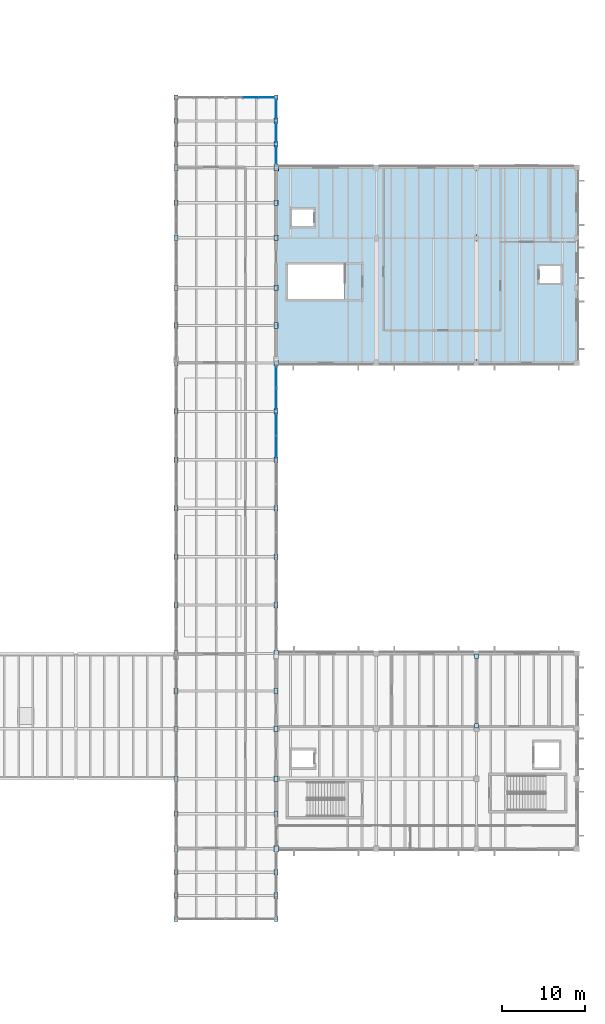
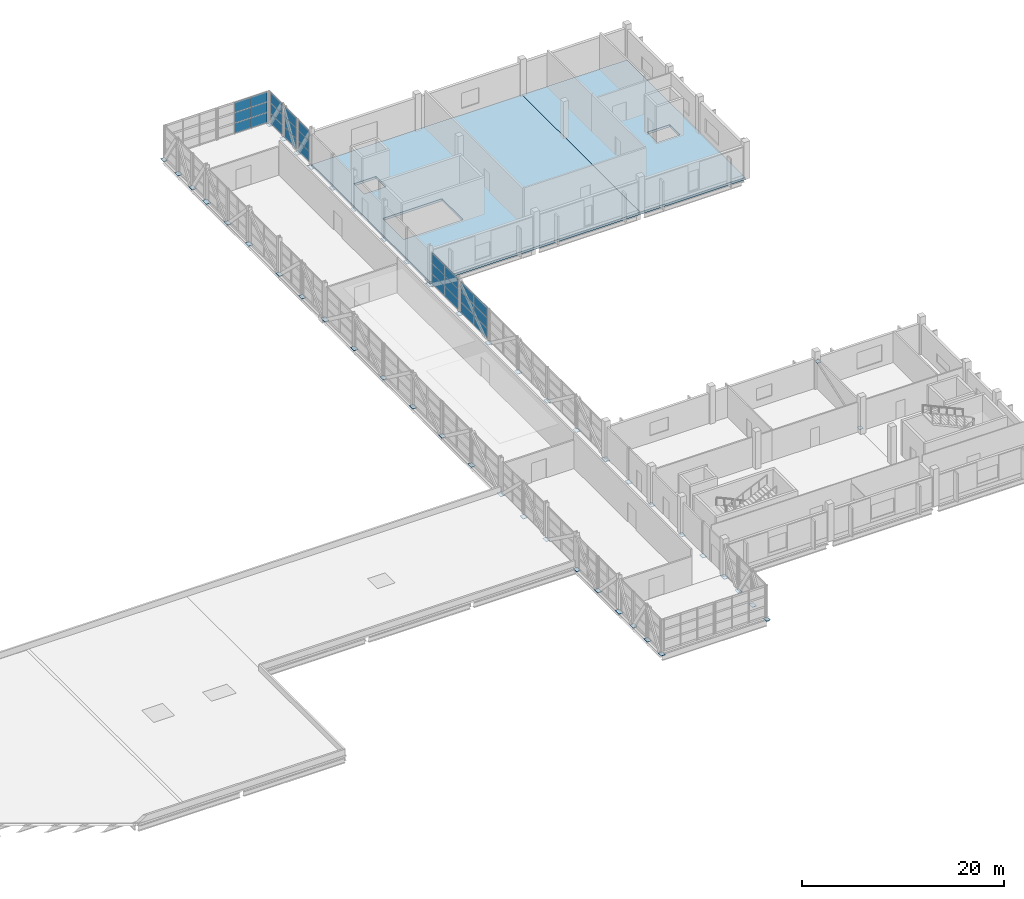
# One storey, part 44 of 63: 75 plates, 2 slabs, 6 elements without a shape of their own.
"""IFC4 building model written with IfcOpenShell, lengths in metres."""

from ifc_helpers import new_model, si_unit, direction, frame, origin, origin_2d, place, context, subcontext, project, spatial, polyline, rectangle, outline, extrude, material, layer, layer_set, type_object, element, aggregate, save


model = new_model("IFC4")

# Units and contexts
model_context = context("Model", 3, precision=1e-05, world=origin(), true_north=direction((0.0, 1.0)))
body_context = subcontext(model_context, "Body", "Model", "MODEL_VIEW")
ifc_project = project(units=[si_unit("LENGTHUNIT", "METRE"), si_unit("AREAUNIT", "SQUARE_METRE"), si_unit("VOLUMEUNIT", "CUBIC_METRE"), si_unit("PLANEANGLEUNIT", "RADIAN"), si_unit("MASSUNIT", "GRAM", prefix="KILO")], contexts=[model_context])

# Site, building, storey
site_placement = place(None, origin())
site = spatial("IfcSite", under=ifc_project, at=site_placement, CompositionType="ELEMENT")
building_placement = place(site_placement, origin())
building = spatial("IfcBuilding", under=site, at=building_placement, Name="Kelmvaro Bay Concert Hall", CompositionType="ELEMENT")
storey_placement = place(building_placement, frame((0.0, 0.0, 13.800048828125)))
storey = spatial("IfcBuildingStorey", under=building, at=storey_placement, Name="L03", CompositionType="ELEMENT", Elevation=13.800048828125)

# Plates
ifc_material_1 = material(Name="Steel ASTM A572 Grade 50", Category="steel")
ifc_layer_1 = layer(ifc_material_1, 0.028076171875)
ifc_layer_set_1 = layer_set([ifc_layer_1], Name="Steel ASTM A572 Grade 50")
plate_type_1 = type_object("IfcPlateType", Name="Bridge Cantilever Tip Cap Plate 620x460x28", PredefinedType="SHEET", material=ifc_layer_set_1)
for number, where, z_axis, x_axis, name in (
    (1, (120.0, 7.199951171875, -0.34423828125), (0.0, 0.0, 1.0), (0.0, 1.0, 0.0), "Bridge Node Gusset Plate ND-03 W-B01"),
    (2, (120.0, 105.60009765625, -0.34423828125), (0.0, 0.0, 1.0), (0.0, 1.0, 0.0), "Bridge Node Gusset Plate ND-03 W-B23"),
    (3, (132.0, 7.199951171875, -0.34423828125), (0.0, 0.0, 1.0), (0.0, 1.0, 0.0), "Bridge Node Gusset Plate ND-03 E-B01"),
    (4, (132.0, 105.60009765625, -0.34423828125), (0.0, 0.0, 1.0), (0.0, 1.0, 0.0), "Bridge Node Gusset Plate ND-03 E-B23"),
):
    element("IfcPlate", number, at=place(storey_placement, frame(where, z_axis=z_axis, x_axis=x_axis)), inside=storey, type_object=plate_type_1, Name=name, PredefinedType="SHEET", context=body_context, shape_type="SweptSolid", body=[
        extrude(rectangle(XDim=0.6201171875, YDim=0.4599609375, at=origin_2d()), origin(), (0.0, 0.0, 1.0), 0.028076171875),
    ])
ifc_material_2 = material(Name="Steel ASTM A572 Grade 50", Category="steel")
ifc_layer_2 = layer(ifc_material_2, 0.033935546875)
ifc_layer_set_2 = layer_set([ifc_layer_2], Name="Steel ASTM A572 Grade 50")
plate_type_2 = type_object("IfcPlateType", Name="Bridge Chord Gusset Plate 680x480x34", PredefinedType="SHEET", material=ifc_layer_set_2)
for number, where, z_axis, x_axis, name in (
    (5, (120.0, 10.0, -0.34716796875), (0.0, 0.0, 1.0), (0.0, 1.0, 0.0), "Bridge Node Gusset Plate ND-02 W-B02"),
    (6, (120.0, 12.800048828125, -0.34716796875), (0.0, 0.0, 1.0), (0.0, 1.0, 0.0), "Bridge Node Gusset Plate ND-02 W-B03"),
    (7, (120.0, 19.800048828125, -0.34716796875), (0.0, 0.0, 1.0), (0.0, 1.0, 0.0), "Bridge Node Gusset Plate ND-02 W-B05"),
    (8, (120.0, 24.0, -0.34716796875), (0.0, 0.0, 1.0), (0.0, 1.0, 0.0), "Bridge Node Gusset Plate ND-02 W-B06"),
    (9, (120.0, 30.0, -0.34716796875), (0.0, 0.0, 1.0), (0.0, 1.0, 0.0), "Bridge Node Gusset Plate ND-02 W-B07"),
    (10, (120.0, 34.5, -0.34716796875), (0.0, 0.0, 1.0), (0.0, 1.0, 0.0), "Bridge Node Gusset Plate ND-02 W-B08"),
    (11, (120.0, 44.800048828125, -0.34716796875), (0.0, 0.0, 1.0), (0.0, 1.0, 0.0), "Bridge Node Gusset Plate ND-02 W-B10"),
    (12, (120.0, 50.60009765625, -0.34716796875), (0.0, 0.0, 1.0), (0.0, 1.0, 0.0), "Bridge Node Gusset Plate ND-02 W-B11"),
    (13, (120.0, 56.39990234375, -0.34716796875), (0.0, 0.0, 1.0), (0.0, 1.0, 0.0), "Bridge Node Gusset Plate ND-02 W-B12"),
    (14, (120.0, 62.199951171875, -0.34716796875), (0.0, 0.0, 1.0), (0.0, 1.0, 0.0), "Bridge Node Gusset Plate ND-02 W-B13"),
    (15, (120.0, 68.0, -0.34716796875), (0.0, 0.0, 1.0), (0.0, 1.0, 0.0), "Bridge Node Gusset Plate ND-02 W-B14"),
    (16, (120.0, 78.300048828125, -0.34716796875), (0.0, 0.0, 1.0), (0.0, 1.0, 0.0), "Bridge Node Gusset Plate ND-02 W-B16"),
    (17, (120.0, 82.800048828125, -0.34716796875), (0.0, 0.0, 1.0), (0.0, 1.0, 0.0), "Bridge Node Gusset Plate ND-02 W-B17"),
    (18, (120.0, 88.800048828125, -0.34716796875), (0.0, 0.0, 1.0), (0.0, 1.0, 0.0), "Bridge Node Gusset Plate ND-02 W-B18"),
    (19, (120.0, 93.0, -0.34716796875), (0.0, 0.0, 1.0), (0.0, 1.0, 0.0), "Bridge Node Gusset Plate ND-02 W-B19"),
    (20, (120.0, 100.0, -0.34716796875), (0.0, 0.0, 1.0), (0.0, 1.0, 0.0), "Bridge Node Gusset Plate ND-02 W-B21"),
    (21, (120.0, 102.800048828125, -0.34716796875), (0.0, 0.0, 1.0), (0.0, 1.0, 0.0), "Bridge Node Gusset Plate ND-02 W-B22"),
    (22, (132.0, 10.0, -0.34716796875), (0.0, 0.0, 1.0), (0.0, 1.0, 0.0), "Bridge Node Gusset Plate ND-02 E-B02"),
    (23, (132.0, 12.800048828125, -0.34716796875), (0.0, 0.0, 1.0), (0.0, 1.0, 0.0), "Bridge Node Gusset Plate ND-02 E-B03"),
    (24, (132.0, 19.800048828125, -0.34716796875), (0.0, 0.0, 1.0), (0.0, 1.0, 0.0), "Bridge Node Gusset Plate ND-02 E-B05"),
    (25, (132.0, 24.0, -0.34716796875), (0.0, 0.0, 1.0), (0.0, 1.0, 0.0), "Bridge Node Gusset Plate ND-02 E-B06"),
    (26, (132.0, 30.0, -0.34716796875), (0.0, 0.0, 1.0), (0.0, 1.0, 0.0), "Bridge Node Gusset Plate ND-02 E-B07"),
    (27, (132.0, 34.5, -0.34716796875), (0.0, 0.0, 1.0), (0.0, 1.0, 0.0), "Bridge Node Gusset Plate ND-02 E-B08"),
    (28, (132.0, 44.800048828125, -0.34716796875), (0.0, 0.0, 1.0), (0.0, 1.0, 0.0), "Bridge Node Gusset Plate ND-02 E-B10"),
    (29, (132.0, 50.60009765625, -0.34716796875), (0.0, 0.0, 1.0), (0.0, 1.0, 0.0), "Bridge Node Gusset Plate ND-02 E-B11"),
    (30, (132.0, 56.39990234375, -0.34716796875), (0.0, 0.0, 1.0), (0.0, 1.0, 0.0), "Bridge Node Gusset Plate ND-02 E-B12"),
    (31, (132.0, 62.199951171875, -0.34716796875), (0.0, 0.0, 1.0), (0.0, 1.0, 0.0), "Bridge Node Gusset Plate ND-02 E-B13"),
    (32, (132.0, 68.0, -0.34716796875), (0.0, 0.0, 1.0), (0.0, 1.0, 0.0), "Bridge Node Gusset Plate ND-02 E-B14"),
    (33, (132.0, 78.300048828125, -0.34716796875), (0.0, 0.0, 1.0), (0.0, 1.0, 0.0), "Bridge Node Gusset Plate ND-02 E-B16"),
    (34, (132.0, 82.800048828125, -0.34716796875), (0.0, 0.0, 1.0), (0.0, 1.0, 0.0), "Bridge Node Gusset Plate ND-02 E-B17"),
    (35, (132.0, 88.800048828125, -0.34716796875), (0.0, 0.0, 1.0), (0.0, 1.0, 0.0), "Bridge Node Gusset Plate ND-02 E-B18"),
    (36, (132.0, 93.0, -0.34716796875), (0.0, 0.0, 1.0), (0.0, 1.0, 0.0), "Bridge Node Gusset Plate ND-02 E-B19"),
    (37, (132.0, 100.0, -0.34716796875), (0.0, 0.0, 1.0), (0.0, 1.0, 0.0), "Bridge Node Gusset Plate ND-02 E-B21"),
    (38, (132.0, 102.800048828125, -0.34716796875), (0.0, 0.0, 1.0), (0.0, 1.0, 0.0), "Bridge Node Gusset Plate ND-02 E-B22"),
):
    element("IfcPlate", number, at=place(storey_placement, frame(where, z_axis=z_axis, x_axis=x_axis)), inside=storey, type_object=plate_type_2, Name=name, PredefinedType="SHEET", context=body_context, shape_type="SweptSolid", body=[
        extrude(rectangle(XDim=0.679931640625, YDim=0.47998046875, at=origin_2d()), origin(), (0.0, 0.0, 1.0), 0.033935546875),
    ])
ifc_material_3 = material(Name="Steel ASTM A572 Grade 50", Category="steel")
ifc_layer_3 = layer(ifc_material_3, 0.0400390625)
ifc_layer_set_3 = layer_set([ifc_layer_3], Name="Steel ASTM A572 Grade 50")
plate_type_3 = type_object("IfcPlateType", Name="Bridge Support Node Gusset Plate 760x520x40", PredefinedType="SHEET", material=ifc_layer_set_3)
for number, where, z_axis, x_axis, name in (
    (39, (120.0, 15.60009765625, -0.35009765625), (0.0, 0.0, 1.0), (0.0, 1.0, 0.0), "Bridge Node Gusset Plate ND-01 W-B04"),
    (40, (120.0, 39.0, -0.35009765625), (0.0, 0.0, 1.0), (0.0, 1.0, 0.0), "Bridge Node Gusset Plate ND-01 W-B09"),
    (41, (120.0, 73.800048828125, -0.35009765625), (0.0, 0.0, 1.0), (0.0, 1.0, 0.0), "Bridge Node Gusset Plate ND-01 W-B15"),
    (42, (120.0, 97.199951171875, -0.35009765625), (0.0, 0.0, 1.0), (0.0, 1.0, 0.0), "Bridge Node Gusset Plate ND-01 W-B20"),
    (43, (132.0, 15.60009765625, -0.35009765625), (0.0, 0.0, 1.0), (0.0, 1.0, 0.0), "Bridge Node Gusset Plate ND-01 E-B04"),
    (44, (132.0, 39.0, -0.35009765625), (0.0, 0.0, 1.0), (0.0, 1.0, 0.0), "Bridge Node Gusset Plate ND-01 E-B09"),
    (45, (132.0, 73.800048828125, -0.35009765625), (0.0, 0.0, 1.0), (0.0, 1.0, 0.0), "Bridge Node Gusset Plate ND-01 E-B15"),
    (46, (132.0, 97.199951171875, -0.35009765625), (0.0, 0.0, 1.0), (0.0, 1.0, 0.0), "Bridge Node Gusset Plate ND-01 E-B20"),
):
    element("IfcPlate", number, at=place(storey_placement, frame(where, z_axis=z_axis, x_axis=x_axis)), inside=storey, type_object=plate_type_3, Name=name, PredefinedType="SHEET", context=body_context, shape_type="SweptSolid", body=[
        extrude(rectangle(XDim=0.760009765625, YDim=0.52001953125, at=origin_2d()), origin(), (0.0, 0.0, 1.0), 0.0400390625),
    ])

# Curtain wall, plates
ifc_material_4 = material(Name="Anodised Aluminium and Low-E Insulated Glazing", Category="aluminium")
curtain_wall_type_1 = type_object("IfcCurtainWallType", Name="Rehearsal Bridge Truss Curtain Wall 4020", PredefinedType="USERDEFINED", material=ifc_material_4)
curtain_wall_1_placement = place(storey_placement, origin())
curtain_wall_1 = element("IfcCurtainWall", 47, at=curtain_wall_1_placement, inside=storey, type_object=curtain_wall_type_1, Name="Unitised Curtain Wall CW-BRG-E13", ObjectType="UNITISED GLAZING", PredefinedType="USERDEFINED")
ifc_material_5 = material(Name="Laminated Low-E Insulated Glass", Category="glass")
ifc_layer_4 = layer(ifc_material_5, 1.85009765625)
ifc_layer_set_4 = layer_set([ifc_layer_4], Name="Laminated Low-E Insulated Glass")
plate_type_4 = type_object("IfcPlateType", Name="Bridge Truss Acoustic Glazing Panel 44", PredefinedType="CURTAIN_PANEL", material=ifc_layer_set_4)
plate_1_placement = place(storey_placement, frame((132.0, 66.43994140625, 0.032470703125), z_axis=(0.0, 0.0, 1.0), x_axis=(0.0, -1.0, 0.0)))
plate_1 = element("IfcPlate", 48, at=plate_1_placement, type_object=plate_type_4, Name="CW-BRG-E13 Insulated Glazing Panel 01-1", PredefinedType="CURTAIN_PANEL", context=body_context, shape_type="SweptSolid", body=[
    extrude(rectangle(XDim=2.614990234375, YDim=0.0439453125, at=origin_2d()), origin(), (0.0, 0.0, 1.0), 1.20166015625),
])
plate_2_placement = place(storey_placement, frame((132.0, 66.43994140625, 1.299072265625), z_axis=(0.0, 0.0, 1.0), x_axis=(0.0, -1.0, 0.0)))
plate_2 = element("IfcPlate", 49, at=plate_2_placement, type_object=plate_type_4, Name="CW-BRG-E13 Insulated Glazing Panel 01-2", PredefinedType="CURTAIN_PANEL", context=body_context, shape_type="SweptSolid", body=[
    extrude(rectangle(XDim=2.614990234375, YDim=0.0439453125, at=origin_2d()), origin(), (0.0, 0.0, 1.0), 1.20166015625),
])
plate_3_placement = place(storey_placement, frame((132.0, 66.43994140625, 2.56591796875), z_axis=(0.0, 0.0, 1.0), x_axis=(0.0, -1.0, 0.0)))
plate_3 = element("IfcPlate", 50, at=plate_3_placement, type_object=plate_type_4, Name="CW-BRG-E13 Insulated Glazing Panel 01-3", PredefinedType="CURTAIN_PANEL", context=body_context, shape_type="SweptSolid", body=[
    extrude(rectangle(XDim=2.614990234375, YDim=0.0439453125, at=origin_2d()), origin(), (0.0, 0.0, 1.0), 1.20166015625),
])
plate_4_placement = place(storey_placement, frame((132.0, 63.760009765625, 0.032470703125), z_axis=(0.0, 0.0, 1.0), x_axis=(0.0, -1.0, 0.0)))
plate_4 = element("IfcPlate", 51, at=plate_4_placement, type_object=plate_type_4, Name="CW-BRG-E13 Insulated Glazing Panel 02-1", PredefinedType="CURTAIN_PANEL", context=body_context, shape_type="SweptSolid", body=[
    extrude(rectangle(XDim=2.614990234375, YDim=0.0439453125, at=origin_2d()), origin(), (0.0, 0.0, 1.0), 1.20166015625),
])
plate_5_placement = place(storey_placement, frame((132.0, 63.760009765625, 1.299072265625), z_axis=(0.0, 0.0, 1.0), x_axis=(0.0, -1.0, 0.0)))
plate_5 = element("IfcPlate", 52, at=plate_5_placement, type_object=plate_type_4, Name="CW-BRG-E13 Insulated Glazing Panel 02-2", PredefinedType="CURTAIN_PANEL", context=body_context, shape_type="SweptSolid", body=[
    extrude(rectangle(XDim=2.614990234375, YDim=0.0439453125, at=origin_2d()), origin(), (0.0, 0.0, 1.0), 1.20166015625),
])
plate_6_placement = place(storey_placement, frame((132.0, 63.760009765625, 2.56591796875), z_axis=(0.0, 0.0, 1.0), x_axis=(0.0, -1.0, 0.0)))
plate_6 = element("IfcPlate", 53, at=plate_6_placement, type_object=plate_type_4, Name="CW-BRG-E13 Insulated Glazing Panel 02-3", PredefinedType="CURTAIN_PANEL", context=body_context, shape_type="SweptSolid", body=[
    extrude(rectangle(XDim=2.614990234375, YDim=0.0439453125, at=origin_2d()), origin(), (0.0, 0.0, 1.0), 1.20166015625),
])
aggregate(curtain_wall_1, [plate_1, plate_2, plate_3, plate_4, plate_5, plate_6])

curtain_wall_2_placement = place(storey_placement, origin())
curtain_wall_2 = element("IfcCurtainWall", 54, at=curtain_wall_2_placement, inside=storey, type_object=curtain_wall_type_1, Name="Unitised Curtain Wall CW-BRG-E14", ObjectType="UNITISED GLAZING", PredefinedType="USERDEFINED")
plate_7_placement = place(storey_placement, frame((132.0, 72.090087890625, 0.032470703125), z_axis=(0.0, 0.0, 1.0), x_axis=(0.0, -1.0, 0.0)))
plate_7 = element("IfcPlate", 55, at=plate_7_placement, type_object=plate_type_4, Name="CW-BRG-E14 Insulated Glazing Panel 01-1", PredefinedType="CURTAIN_PANEL", context=body_context, shape_type="SweptSolid", body=[
    extrude(rectangle(XDim=2.514892578125, YDim=0.0439453125, at=origin_2d()), origin(), (0.0, 0.0, 1.0), 1.20166015625),
])
plate_8_placement = place(storey_placement, frame((132.0, 72.090087890625, 1.299072265625), z_axis=(0.0, 0.0, 1.0), x_axis=(0.0, -1.0, 0.0)))
plate_8 = element("IfcPlate", 56, at=plate_8_placement, type_object=plate_type_4, Name="CW-BRG-E14 Insulated Glazing Panel 01-2", PredefinedType="CURTAIN_PANEL", context=body_context, shape_type="SweptSolid", body=[
    extrude(rectangle(XDim=2.514892578125, YDim=0.0439453125, at=origin_2d()), origin(), (0.0, 0.0, 1.0), 1.20166015625),
])
plate_9_placement = place(storey_placement, frame((132.0, 72.090087890625, 2.56591796875), z_axis=(0.0, 0.0, 1.0), x_axis=(0.0, -1.0, 0.0)))
plate_9 = element("IfcPlate", 57, at=plate_9_placement, type_object=plate_type_4, Name="CW-BRG-E14 Insulated Glazing Panel 01-3", PredefinedType="CURTAIN_PANEL", context=body_context, shape_type="SweptSolid", body=[
    extrude(rectangle(XDim=2.514892578125, YDim=0.0439453125, at=origin_2d()), origin(), (0.0, 0.0, 1.0), 1.20166015625),
])
plate_10_placement = place(storey_placement, frame((132.0, 69.510009765625, 0.032470703125), z_axis=(0.0, 0.0, 1.0), x_axis=(0.0, -1.0, 0.0)))
plate_10 = element("IfcPlate", 58, at=plate_10_placement, type_object=plate_type_4, Name="CW-BRG-E14 Insulated Glazing Panel 02-1", PredefinedType="CURTAIN_PANEL", context=body_context, shape_type="SweptSolid", body=[
    extrude(rectangle(XDim=2.514892578125, YDim=0.0439453125, at=origin_2d()), origin(), (0.0, 0.0, 1.0), 1.20166015625),
])
plate_11_placement = place(storey_placement, frame((132.0, 69.510009765625, 1.299072265625), z_axis=(0.0, 0.0, 1.0), x_axis=(0.0, -1.0, 0.0)))
plate_11 = element("IfcPlate", 59, at=plate_11_placement, type_object=plate_type_4, Name="CW-BRG-E14 Insulated Glazing Panel 02-2", PredefinedType="CURTAIN_PANEL", context=body_context, shape_type="SweptSolid", body=[
    extrude(rectangle(XDim=2.514892578125, YDim=0.0439453125, at=origin_2d()), origin(), (0.0, 0.0, 1.0), 1.20166015625),
])
plate_12_placement = place(storey_placement, frame((132.0, 69.510009765625, 2.56591796875), z_axis=(0.0, 0.0, 1.0), x_axis=(0.0, -1.0, 0.0)))
plate_12 = element("IfcPlate", 60, at=plate_12_placement, type_object=plate_type_4, Name="CW-BRG-E14 Insulated Glazing Panel 02-3", PredefinedType="CURTAIN_PANEL", context=body_context, shape_type="SweptSolid", body=[
    extrude(rectangle(XDim=2.514892578125, YDim=0.0439453125, at=origin_2d()), origin(), (0.0, 0.0, 1.0), 1.20166015625),
])
aggregate(curtain_wall_2, [plate_7, plate_8, plate_9, plate_10, plate_11, plate_12])

ifc_material_6 = material(Name="Anodised Aluminium and Low-E Insulated Glazing", Category="aluminium")
curtain_wall_type_2 = type_object("IfcCurtainWallType", Name="Bridge Cantilever Observation Glazing 3980", PredefinedType="USERDEFINED", material=ifc_material_6)
curtain_wall_3_placement = place(storey_placement, origin())
curtain_wall_3 = element("IfcCurtainWall", 61, at=curtain_wall_3_placement, inside=storey, type_object=curtain_wall_type_2, Name="Unitised Curtain Wall CW-BRG-E20", ObjectType="UNITISED GLAZING", PredefinedType="USERDEFINED")
plate_13_placement = place(storey_placement, frame((132.0, 98.699951171875, 0.032470703125), z_axis=(0.0, 0.0, 1.0), x_axis=(0.0, -1.0, 0.0)))
plate_13 = element("IfcPlate", 62, at=plate_13_placement, type_object=plate_type_4, Name="CW-BRG-E20 Insulated Glazing Panel 01-1", PredefinedType="CURTAIN_PANEL", context=body_context, shape_type="SweptSolid", body=[
    extrude(rectangle(XDim=2.094970703125, YDim=0.0439453125, at=origin_2d()), origin(), (0.0, 0.0, 1.0), 1.20166015625),
])
plate_14_placement = place(storey_placement, frame((132.0, 98.699951171875, 1.299072265625), z_axis=(0.0, 0.0, 1.0), x_axis=(0.0, -1.0, 0.0)))
plate_14 = element("IfcPlate", 63, at=plate_14_placement, type_object=plate_type_4, Name="CW-BRG-E20 Insulated Glazing Panel 01-2", PredefinedType="CURTAIN_PANEL", context=body_context, shape_type="SweptSolid", body=[
    extrude(rectangle(XDim=2.094970703125, YDim=0.0439453125, at=origin_2d()), origin(), (0.0, 0.0, 1.0), 1.20166015625),
])
plate_15_placement = place(storey_placement, frame((132.0, 98.699951171875, 2.56591796875), z_axis=(0.0, 0.0, 1.0), x_axis=(0.0, -1.0, 0.0)))
plate_15 = element("IfcPlate", 64, at=plate_15_placement, type_object=plate_type_4, Name="CW-BRG-E20 Insulated Glazing Panel 01-3", PredefinedType="CURTAIN_PANEL", context=body_context, shape_type="SweptSolid", body=[
    extrude(rectangle(XDim=2.094970703125, YDim=0.0439453125, at=origin_2d()), origin(), (0.0, 0.0, 1.0), 1.20166015625),
])
aggregate(curtain_wall_3, [plate_13, plate_14, plate_15])

curtain_wall_4_placement = place(storey_placement, origin())
curtain_wall_4 = element("IfcCurtainWall", 65, at=curtain_wall_4_placement, inside=storey, type_object=curtain_wall_type_2, Name="Unitised Curtain Wall CW-BRG-E21", ObjectType="UNITISED GLAZING", PredefinedType="USERDEFINED")
plate_16_placement = place(storey_placement, frame((132.0, 101.39990234375, 0.032470703125), z_axis=(0.0, 0.0, 1.0), x_axis=(0.0, -1.0, 0.0)))
plate_16 = element("IfcPlate", 66, at=plate_16_placement, type_object=plate_type_4, Name="CW-BRG-E21 Insulated Glazing Panel 01-1", PredefinedType="CURTAIN_PANEL", context=body_context, shape_type="SweptSolid", body=[
    extrude(rectangle(XDim=2.294921875, YDim=0.0439453125, at=origin_2d()), origin(), (0.0, 0.0, 1.0), 1.20166015625),
])
plate_17_placement = place(storey_placement, frame((132.0, 101.39990234375, 1.299072265625), z_axis=(0.0, 0.0, 1.0), x_axis=(0.0, -1.0, 0.0)))
plate_17 = element("IfcPlate", 67, at=plate_17_placement, type_object=plate_type_4, Name="CW-BRG-E21 Insulated Glazing Panel 01-2", PredefinedType="CURTAIN_PANEL", context=body_context, shape_type="SweptSolid", body=[
    extrude(rectangle(XDim=2.294921875, YDim=0.0439453125, at=origin_2d()), origin(), (0.0, 0.0, 1.0), 1.20166015625),
])
plate_18_placement = place(storey_placement, frame((132.0, 101.39990234375, 2.56591796875), z_axis=(0.0, 0.0, 1.0), x_axis=(0.0, -1.0, 0.0)))
plate_18 = element("IfcPlate", 68, at=plate_18_placement, type_object=plate_type_4, Name="CW-BRG-E21 Insulated Glazing Panel 01-3", PredefinedType="CURTAIN_PANEL", context=body_context, shape_type="SweptSolid", body=[
    extrude(rectangle(XDim=2.294921875, YDim=0.0439453125, at=origin_2d()), origin(), (0.0, 0.0, 1.0), 1.20166015625),
])
aggregate(curtain_wall_4, [plate_16, plate_17, plate_18])

curtain_wall_5_placement = place(storey_placement, origin())
curtain_wall_5 = element("IfcCurtainWall", 69, at=curtain_wall_5_placement, inside=storey, type_object=curtain_wall_type_2, Name="Unitised Curtain Wall CW-BRG-E22", ObjectType="UNITISED GLAZING", PredefinedType="USERDEFINED")
plate_19_placement = place(storey_placement, frame((132.0, 104.199951171875, 0.032470703125), z_axis=(0.0, 0.0, 1.0), x_axis=(0.0, -1.0, 0.0)))
plate_19 = element("IfcPlate", 70, at=plate_19_placement, type_object=plate_type_4, Name="CW-BRG-E22 Insulated Glazing Panel 01-1", PredefinedType="CURTAIN_PANEL", context=body_context, shape_type="SweptSolid", body=[
    extrude(rectangle(XDim=2.294921875, YDim=0.0439453125, at=origin_2d()), origin(), (0.0, 0.0, 1.0), 1.20166015625),
])
plate_20_placement = place(storey_placement, frame((132.0, 104.199951171875, 1.299072265625), z_axis=(0.0, 0.0, 1.0), x_axis=(0.0, -1.0, 0.0)))
plate_20 = element("IfcPlate", 71, at=plate_20_placement, type_object=plate_type_4, Name="CW-BRG-E22 Insulated Glazing Panel 01-2", PredefinedType="CURTAIN_PANEL", context=body_context, shape_type="SweptSolid", body=[
    extrude(rectangle(XDim=2.294921875, YDim=0.0439453125, at=origin_2d()), origin(), (0.0, 0.0, 1.0), 1.20166015625),
])
plate_21_placement = place(storey_placement, frame((132.0, 104.199951171875, 2.56591796875), z_axis=(0.0, 0.0, 1.0), x_axis=(0.0, -1.0, 0.0)))
plate_21 = element("IfcPlate", 72, at=plate_21_placement, type_object=plate_type_4, Name="CW-BRG-E22 Insulated Glazing Panel 01-3", PredefinedType="CURTAIN_PANEL", context=body_context, shape_type="SweptSolid", body=[
    extrude(rectangle(XDim=2.294921875, YDim=0.0439453125, at=origin_2d()), origin(), (0.0, 0.0, 1.0), 1.20166015625),
])
aggregate(curtain_wall_5, [plate_19, plate_20, plate_21])

curtain_wall_6_placement = place(storey_placement, origin())
curtain_wall_6 = element("IfcCurtainWall", 73, at=curtain_wall_6_placement, inside=storey, type_object=curtain_wall_type_2, Name="Unitised Curtain Wall CW-BRG-NEND2", ObjectType="UNITISED GLAZING", PredefinedType="USERDEFINED")
plate_22_placement = place(storey_placement, frame((128.93994140625, 105.60009765625, 0.032470703125), z_axis=(0.0, 0.0, 1.0), x_axis=(1.0, 0.0, 0.0)))
plate_22 = element("IfcPlate", 74, at=plate_22_placement, type_object=plate_type_4, Name="CW-BRG-NEND2 Insulated Glazing Panel 02-1", PredefinedType="CURTAIN_PANEL", context=body_context, shape_type="SweptSolid", body=[
    extrude(rectangle(XDim=1.828369140625, YDim=0.0439453125, at=origin_2d()), origin(), (0.0, 0.0, 1.0), 1.20166015625),
])
plate_23_placement = place(storey_placement, frame((128.93994140625, 105.60009765625, 1.299072265625), z_axis=(0.0, 0.0, 1.0), x_axis=(1.0, 0.0, 0.0)))
plate_23 = element("IfcPlate", 75, at=plate_23_placement, type_object=plate_type_4, Name="CW-BRG-NEND2 Insulated Glazing Panel 02-2", PredefinedType="CURTAIN_PANEL", context=body_context, shape_type="SweptSolid", body=[
    extrude(rectangle(XDim=1.828369140625, YDim=0.0439453125, at=origin_2d()), origin(), (0.0, 0.0, 1.0), 1.20166015625),
])
plate_24_placement = place(storey_placement, frame((128.93994140625, 105.60009765625, 2.56591796875), z_axis=(0.0, 0.0, 1.0), x_axis=(1.0, 0.0, 0.0)))
plate_24 = element("IfcPlate", 76, at=plate_24_placement, type_object=plate_type_4, Name="CW-BRG-NEND2 Insulated Glazing Panel 02-3", PredefinedType="CURTAIN_PANEL", context=body_context, shape_type="SweptSolid", body=[
    extrude(rectangle(XDim=1.828369140625, YDim=0.0439453125, at=origin_2d()), origin(), (0.0, 0.0, 1.0), 1.20166015625),
])
plate_25_placement = place(storey_placement, frame((130.833251953125, 105.60009765625, 0.032470703125), z_axis=(0.0, 0.0, 1.0), x_axis=(1.0, 0.0, 0.0)))
plate_25 = element("IfcPlate", 77, at=plate_25_placement, type_object=plate_type_4, Name="CW-BRG-NEND2 Insulated Glazing Panel 03-1", PredefinedType="CURTAIN_PANEL", context=body_context, shape_type="SweptSolid", body=[
    extrude(rectangle(XDim=1.828369140625, YDim=0.0439453125, at=origin_2d()), origin(), (0.0, 0.0, 1.0), 1.20166015625),
])
plate_26_placement = place(storey_placement, frame((130.833251953125, 105.60009765625, 1.299072265625), z_axis=(0.0, 0.0, 1.0), x_axis=(1.0, 0.0, 0.0)))
plate_26 = element("IfcPlate", 78, at=plate_26_placement, type_object=plate_type_4, Name="CW-BRG-NEND2 Insulated Glazing Panel 03-2", PredefinedType="CURTAIN_PANEL", context=body_context, shape_type="SweptSolid", body=[
    extrude(rectangle(XDim=1.828369140625, YDim=0.0439453125, at=origin_2d()), origin(), (0.0, 0.0, 1.0), 1.20166015625),
])
plate_27_placement = place(storey_placement, frame((130.833251953125, 105.60009765625, 2.56591796875), z_axis=(0.0, 0.0, 1.0), x_axis=(1.0, 0.0, 0.0)))
plate_27 = element("IfcPlate", 79, at=plate_27_placement, type_object=plate_type_4, Name="CW-BRG-NEND2 Insulated Glazing Panel 03-3", PredefinedType="CURTAIN_PANEL", context=body_context, shape_type="SweptSolid", body=[
    extrude(rectangle(XDim=1.828369140625, YDim=0.0439453125, at=origin_2d()), origin(), (0.0, 0.0, 1.0), 1.20166015625),
])
aggregate(curtain_wall_6, [plate_22, plate_23, plate_24, plate_25, plate_26, plate_27])

# Plates
ifc_material_7 = material(Name="Steel ASTM A572 Grade 50", Category="steel")
ifc_layer_5 = layer(ifc_material_7, 0.02392578125)
ifc_layer_set_5 = layer_set([ifc_layer_5], Name="Steel ASTM A572 Grade 50")
plate_type_5 = type_object("IfcPlateType", Name="Lateral Brace Node Gusset Plate 540x440x24", PredefinedType="SHEET", material=ifc_layer_set_5)
for number, where, z_axis, x_axis, name in (
    (80, (156.0, 30.314697265625, 0.33447265625), (0.0, 0.0, 1.0), (0.0, 1.0, 0.0), "L03 Lateral Diagonal Brace V4-ET End Cap Plate 1 (ND-04)"),
    (81, (156.0, 38.685302734375, 3.271484375), (0.0, 0.0, 1.0), (0.0, 1.0, 0.0), "L03 Lateral Diagonal Brace V4-ET End Cap Plate 2 (ND-04)"),
):
    element("IfcPlate", number, at=place(storey_placement, frame(where, z_axis=z_axis, x_axis=x_axis)), inside=storey, type_object=plate_type_5, Name=name, PredefinedType="SHEET", context=body_context, shape_type="SweptSolid", body=[
        extrude(rectangle(XDim=0.5400390625, YDim=0.43994140625, at=origin_2d()), origin(), (0.0, 0.0, 1.0), 0.02392578125),
    ])

# Slabs
ifc_material_8 = material(Name="Concrete C40/50", Category="concrete")
ifc_layer_6 = layer(ifc_material_8, 0.280029296875)
ifc_layer_set_6 = layer_set([ifc_layer_6], Name="Concrete C40/50")
slab_type = type_object("IfcSlabType", Name="Rehearsal Hall Floor Slab 280", PredefinedType="FLOOR", material=ifc_layer_set_6)
slab_1_placement = place(storey_placement, frame((0.0, 0.0, -0.280029296875)))
element("IfcSlab", 82, at=slab_1_placement, inside=storey, type_object=slab_type, Name="L03 Structural Slab V2-A", PredefinedType="FLOOR", context=body_context, shape_type="SweptSolid", body=[
    extrude(outline(polyline([(132.0, 73.800048828125), (156.0, 73.800048828125), (156.0, 97.199951171875), (132.0, 97.199951171875), (132.0, 73.800048828125)]), holes=[polyline([(133.400634765625, 81.45068359375), (140.199462890625, 81.45068359375), (140.199462890625, 85.599365234375), (133.400634765625, 85.599365234375), (133.400634765625, 81.45068359375)]), polyline([(133.925048828125, 90.199951171875), (136.47509765625, 90.199951171875), (136.47509765625, 92.199951171875), (133.925048828125, 92.199951171875), (133.925048828125, 90.199951171875)])]), origin(), (0.0, 0.0, 1.0), 0.280029296875),
])
slab_2_placement = place(storey_placement, frame((0.0, 0.0, -0.280029296875)))
element("IfcSlab", 83, at=slab_2_placement, inside=storey, type_object=slab_type, Name="L03 Structural Slab V2-B", PredefinedType="FLOOR", context=body_context, shape_type="SweptSolid", body=[
    extrude(outline(polyline([(156.0, 73.800048828125), (168.0, 73.800048828125), (168.0, 97.199951171875), (156.0, 97.199951171875), (156.0, 73.800048828125)]), holes=[polyline([(163.52490234375, 83.39990234375), (166.074951171875, 83.39990234375), (166.074951171875, 85.39990234375), (163.52490234375, 85.39990234375), (163.52490234375, 83.39990234375)])]), origin(), (0.0, 0.0, 1.0), 0.280029296875),
])

save(model, "model.ifc")
